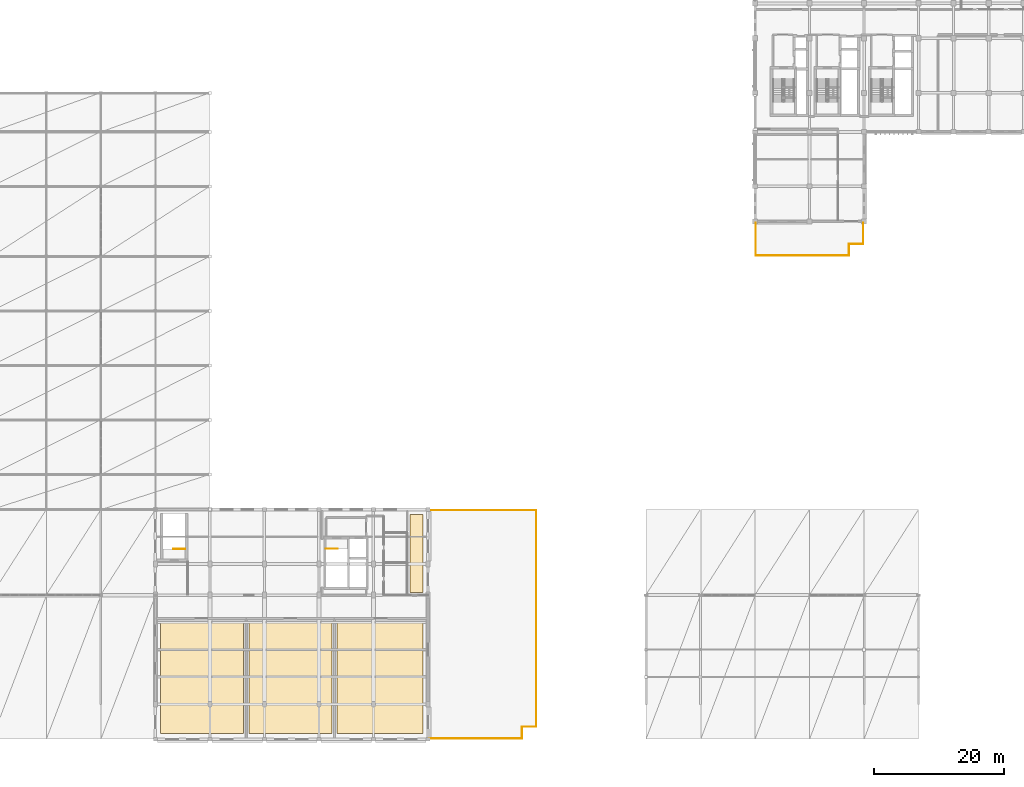
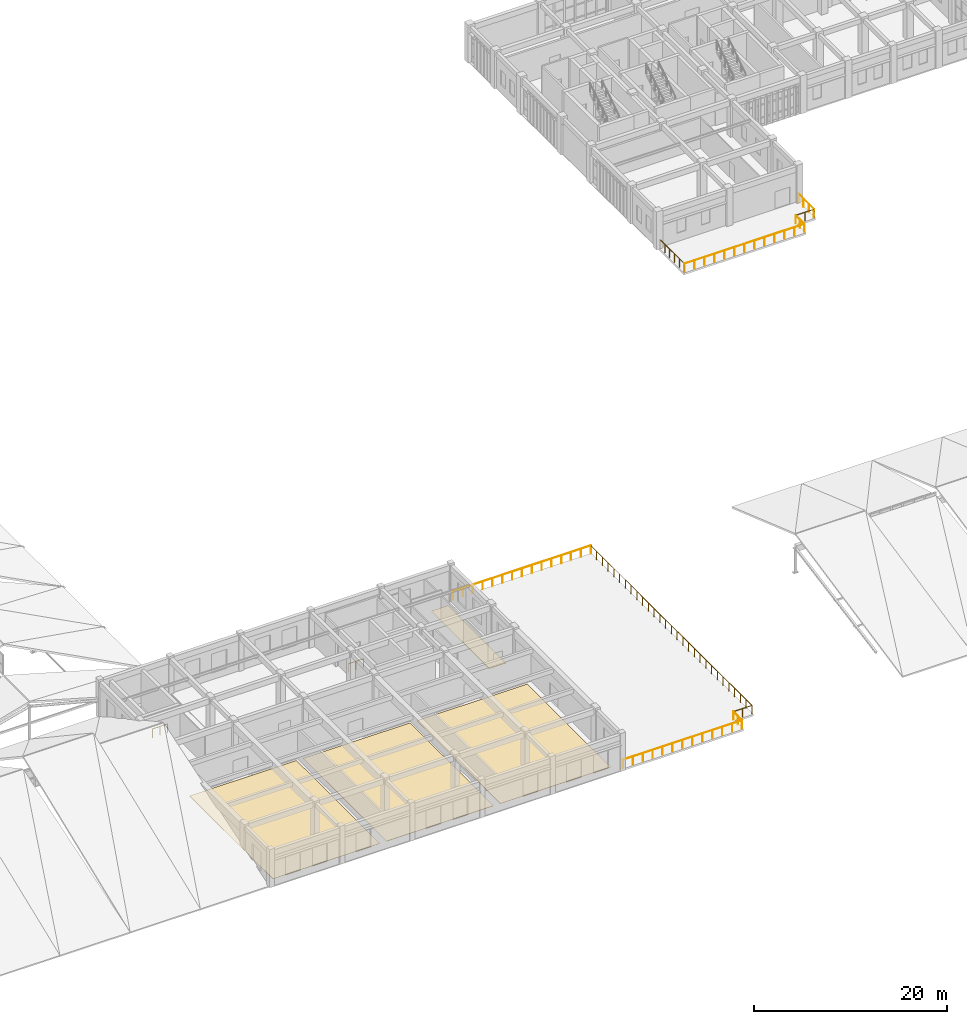
# One storey, part 75 of 76: 12 railings, 4 coverings.
"""IFC4 building model written with IfcOpenShell, lengths in metres."""

from ifc_helpers import new_model, si_unit, direction, frame, origin, origin_2d, place, context, subcontext, project, spatial, polyline, circle, outline, extrude, material, layer, layer_set, type_object, element, save


model = new_model("IFC4")

# Units and contexts
model_context = context("Model", 3, precision=1e-05, world=origin(), true_north=direction((0.0, 1.0)))
body_context = subcontext(model_context, "Body", "Model", "MODEL_VIEW")
ifc_project = project(units=[si_unit("LENGTHUNIT", "METRE"), si_unit("AREAUNIT", "SQUARE_METRE"), si_unit("VOLUMEUNIT", "CUBIC_METRE"), si_unit("PLANEANGLEUNIT", "RADIAN"), si_unit("MASSUNIT", "GRAM", prefix="KILO")], contexts=[model_context])

# Site, building, storey
site_placement = place(None, origin())
site = spatial("IfcSite", under=ifc_project, at=site_placement, CompositionType="ELEMENT")
building_placement = place(site_placement, origin())
building = spatial("IfcBuilding", under=site, at=building_placement, Name="Krzemoval Escarpment Law Courts", CompositionType="ELEMENT")
storey_placement = place(building_placement, frame((0.0, 0.0, 20.39990234375)))
storey = spatial("IfcBuildingStorey", under=building, at=storey_placement, Name="L04", CompositionType="ELEMENT", Elevation=20.39990234375)

# Coverings
ifc_material_1 = material(Name="Honed Silesian Granite Stone Flooring", Category="masonry")
ifc_layer = layer(ifc_material_1, 0.030029296875)
ifc_layer_set = layer_set([ifc_layer], Name="Honed Silesian Granite Stone Flooring")
covering_type = type_object("IfcCoveringType", Name="COV-FLR-STN30", PredefinedType="FLOORING", material=ifc_layer_set)
covering_1_placement = place(storey_placement, origin())
element("IfcCovering", 1, at=covering_1_placement, inside=storey, type_object=covering_type, Name="Stone Floor Finish FLR-L04-43", PredefinedType="FLOORING", context=body_context, shape_type="SweptSolid", body=[
    extrude(outline(polyline([(34.39990234375, 0.89990234375), (34.39990234375, 18.199951171875), (47.199951171875, 18.199951171875), (47.199951171875, 0.89990234375), (34.39990234375, 0.89990234375)])), origin(), (0.0, 0.0, 1.0), 0.030029296875),
])
covering_2_placement = place(storey_placement, origin())
element("IfcCovering", 2, at=covering_2_placement, inside=storey, type_object=covering_type, Name="Stone Floor Finish FLR-L04-44", PredefinedType="FLOORING", context=body_context, shape_type="SweptSolid", body=[
    extrude(outline(polyline([(48.0, 0.89990234375), (48.0, 18.199951171875), (60.800048828125, 18.199951171875), (60.800048828125, 0.89990234375), (48.0, 0.89990234375)])), origin(), (0.0, 0.0, 1.0), 0.030029296875),
])
covering_3_placement = place(storey_placement, origin())
element("IfcCovering", 3, at=covering_3_placement, inside=storey, type_object=covering_type, Name="Stone Floor Finish FLR-L04-45", PredefinedType="FLOORING", context=body_context, shape_type="SweptSolid", body=[
    extrude(outline(polyline([(61.60009765625, 0.89990234375), (61.60009765625, 18.199951171875), (74.800048828125, 18.199951171875), (74.800048828125, 0.89990234375), (61.60009765625, 0.89990234375)])), origin(), (0.0, 0.0, 1.0), 0.030029296875),
])
covering_4_placement = place(storey_placement, origin())
element("IfcCovering", 4, at=covering_4_placement, inside=storey, type_object=covering_type, Name="Stone Floor Finish FLR-L04-46", PredefinedType="FLOORING", context=body_context, shape_type="SweptSolid", body=[
    extrude(outline(polyline([(72.800048828125, 22.60009765625), (72.800048828125, 34.60009765625), (74.800048828125, 34.60009765625), (74.800048828125, 22.60009765625), (72.800048828125, 22.60009765625)])), origin(), (0.0, 0.0, 1.0), 0.030029296875),
])

# Railings
ifc_material_2 = material(Name="Stainless Steel Grade 316L and Laminated Safety Glass Guard", Category="steel")
railing_type_1 = type_object("IfcRailingType", Name="RL-BAL-1100", PredefinedType="BALUSTRADE", material=ifc_material_2)
railing_1_placement = place(storey_placement, frame((75.820068359375, 35.280029296875, 0.0)))
element("IfcRailing", 5, at=railing_1_placement, inside=storey, type_object=railing_type_1, Name="Terrace Guardrail BG-L04-017", PredefinedType="BALUSTRADE", context=body_context, shape_type="SweptSolid", body=[
    extrude(circle(Radius=0.02392578125, at=origin_2d()), frame((0.0, 0.0, 1.076171875), z_axis=(1.0, 0.0, 0.0), x_axis=(0.0, 1.0, 0.0)), (0.0, 0.0, 1.0), 16.4599609375),
    extrude(circle(Radius=0.02099609375, at=origin_2d()), origin(), (0.0, 0.0, 1.0), 1.052001953125),
    extrude(circle(Radius=0.02099609375, at=origin_2d()), frame((1.17578125, 0.0, 0.0)), (0.0, 0.0, 1.0), 1.052001953125),
    extrude(circle(Radius=0.02099609375, at=origin_2d()), frame((2.351318359375, 0.0, 0.0)), (0.0, 0.0, 1.0), 1.052001953125),
    extrude(circle(Radius=0.02099609375, at=origin_2d()), frame((3.527099609375, 0.0, 0.0)), (0.0, 0.0, 1.0), 1.052001953125),
    extrude(circle(Radius=0.02099609375, at=origin_2d()), frame((4.702880859375, 0.0, 0.0)), (0.0, 0.0, 1.0), 1.052001953125),
    extrude(circle(Radius=0.02099609375, at=origin_2d()), frame((5.878662109375, 0.0, 0.0)), (0.0, 0.0, 1.0), 1.052001953125),
    extrude(circle(Radius=0.02099609375, at=origin_2d()), frame((7.05419921875, 0.0, 0.0)), (0.0, 0.0, 1.0), 1.052001953125),
    extrude(circle(Radius=0.02099609375, at=origin_2d()), frame((8.22998046875, 0.0, 0.0)), (0.0, 0.0, 1.0), 1.052001953125),
    extrude(circle(Radius=0.02099609375, at=origin_2d()), frame((9.40576171875, 0.0, 0.0)), (0.0, 0.0, 1.0), 1.052001953125),
    extrude(circle(Radius=0.02099609375, at=origin_2d()), frame((10.581298828125, 0.0, 0.0)), (0.0, 0.0, 1.0), 1.052001953125),
    extrude(circle(Radius=0.02099609375, at=origin_2d()), frame((11.757080078125, 0.0, 0.0)), (0.0, 0.0, 1.0), 1.052001953125),
    extrude(circle(Radius=0.02099609375, at=origin_2d()), frame((12.932861328125, 0.0, 0.0)), (0.0, 0.0, 1.0), 1.052001953125),
    extrude(circle(Radius=0.02099609375, at=origin_2d()), frame((14.108642578125, 0.0, 0.0)), (0.0, 0.0, 1.0), 1.052001953125),
    extrude(circle(Radius=0.02099609375, at=origin_2d()), frame((15.2841796875, 0.0, 0.0)), (0.0, 0.0, 1.0), 1.052001953125),
    extrude(circle(Radius=0.02099609375, at=origin_2d()), frame((16.4599609375, 0.0, 0.0)), (0.0, 0.0, 1.0), 1.052001953125),
])
railing_2_placement = place(storey_placement, frame((92.280029296875, 35.280029296875, 0.0)))
element("IfcRailing", 6, at=railing_2_placement, inside=storey, type_object=railing_type_1, Name="Terrace Guardrail BG-L04-018", PredefinedType="BALUSTRADE", context=body_context, shape_type="SweptSolid", body=[
    extrude(circle(Radius=0.02392578125, at=origin_2d()), frame((0.0, 0.0, 1.076171875), z_axis=(0.0, -1.0, 0.0), x_axis=(1.0, 0.0, 0.0)), (0.0, 0.0, 1.0), 33.360107421875),
    extrude(circle(Radius=0.02099609375, at=origin_2d()), origin(), (0.0, 0.0, 1.0), 1.052001953125),
    extrude(circle(Radius=0.02099609375, at=origin_2d()), frame((0.0, -1.19140625, 0.0)), (0.0, 0.0, 1.0), 1.052001953125),
    extrude(circle(Radius=0.02099609375, at=origin_2d()), frame((0.0, -2.3828125, 0.0)), (0.0, 0.0, 1.0), 1.052001953125),
    extrude(circle(Radius=0.02099609375, at=origin_2d()), frame((0.0, -3.57421875, 0.0)), (0.0, 0.0, 1.0), 1.052001953125),
    extrude(circle(Radius=0.02099609375, at=origin_2d()), frame((0.0, -4.765625, 0.0)), (0.0, 0.0, 1.0), 1.052001953125),
    extrude(circle(Radius=0.02099609375, at=origin_2d()), frame((0.0, -5.957275390625, 0.0)), (0.0, 0.0, 1.0), 1.052001953125),
    extrude(circle(Radius=0.02099609375, at=origin_2d()), frame((0.0, -7.148681640625, 0.0)), (0.0, 0.0, 1.0), 1.052001953125),
    extrude(circle(Radius=0.02099609375, at=origin_2d()), frame((0.0, -8.340087890625, 0.0)), (0.0, 0.0, 1.0), 1.052001953125),
    extrude(circle(Radius=0.02099609375, at=origin_2d()), frame((0.0, -9.531494140625, 0.0)), (0.0, 0.0, 1.0), 1.052001953125),
    extrude(circle(Radius=0.02099609375, at=origin_2d()), frame((0.0, -10.722900390625, 0.0)), (0.0, 0.0, 1.0), 1.052001953125),
    extrude(circle(Radius=0.02099609375, at=origin_2d()), frame((0.0, -11.914306640625, 0.0)), (0.0, 0.0, 1.0), 1.052001953125),
    extrude(circle(Radius=0.02099609375, at=origin_2d()), frame((0.0, -13.105712890625, 0.0)), (0.0, 0.0, 1.0), 1.052001953125),
    extrude(circle(Radius=0.02099609375, at=origin_2d()), frame((0.0, -14.297119140625, 0.0)), (0.0, 0.0, 1.0), 1.052001953125),
    extrude(circle(Radius=0.02099609375, at=origin_2d()), frame((0.0, -15.488525390625, 0.0)), (0.0, 0.0, 1.0), 1.052001953125),
    extrude(circle(Radius=0.02099609375, at=origin_2d()), frame((0.0, -16.68017578125, 0.0)), (0.0, 0.0, 1.0), 1.052001953125),
    extrude(circle(Radius=0.02099609375, at=origin_2d()), frame((0.0, -17.87158203125, 0.0)), (0.0, 0.0, 1.0), 1.052001953125),
    extrude(circle(Radius=0.02099609375, at=origin_2d()), frame((0.0, -19.06298828125, 0.0)), (0.0, 0.0, 1.0), 1.052001953125),
    extrude(circle(Radius=0.02099609375, at=origin_2d()), frame((0.0, -20.25439453125, 0.0)), (0.0, 0.0, 1.0), 1.052001953125),
    extrude(circle(Radius=0.02099609375, at=origin_2d()), frame((0.0, -21.44580078125, 0.0)), (0.0, 0.0, 1.0), 1.052001953125),
    extrude(circle(Radius=0.02099609375, at=origin_2d()), frame((0.0, -22.63720703125, 0.0)), (0.0, 0.0, 1.0), 1.052001953125),
    extrude(circle(Radius=0.02099609375, at=origin_2d()), frame((0.0, -23.82861328125, 0.0)), (0.0, 0.0, 1.0), 1.052001953125),
    extrude(circle(Radius=0.02099609375, at=origin_2d()), frame((0.0, -25.02001953125, 0.0)), (0.0, 0.0, 1.0), 1.052001953125),
    extrude(circle(Radius=0.02099609375, at=origin_2d()), frame((0.0, -26.21142578125, 0.0)), (0.0, 0.0, 1.0), 1.052001953125),
    extrude(circle(Radius=0.02099609375, at=origin_2d()), frame((0.0, -27.40283203125, 0.0)), (0.0, 0.0, 1.0), 1.052001953125),
    extrude(circle(Radius=0.02099609375, at=origin_2d()), frame((0.0, -28.594482421875, 0.0)), (0.0, 0.0, 1.0), 1.052001953125),
    extrude(circle(Radius=0.02099609375, at=origin_2d()), frame((0.0, -29.785888671875, 0.0)), (0.0, 0.0, 1.0), 1.052001953125),
    extrude(circle(Radius=0.02099609375, at=origin_2d()), frame((0.0, -30.977294921875, 0.0)), (0.0, 0.0, 1.0), 1.052001953125),
    extrude(circle(Radius=0.02099609375, at=origin_2d()), frame((0.0, -32.168701171875, 0.0)), (0.0, 0.0, 1.0), 1.052001953125),
    extrude(circle(Radius=0.02099609375, at=origin_2d()), frame((0.0, -33.360107421875, 0.0)), (0.0, 0.0, 1.0), 1.052001953125),
])
railing_3_placement = place(storey_placement, frame((92.280029296875, 1.919921875, 0.0)))
element("IfcRailing", 7, at=railing_3_placement, inside=storey, type_object=railing_type_1, Name="Terrace Guardrail BG-L04-019", PredefinedType="BALUSTRADE", context=body_context, shape_type="SweptSolid", body=[
    extrude(circle(Radius=0.02392578125, at=origin_2d()), frame((0.0, 0.0, 1.076171875), z_axis=(-1.0, 0.0, 0.0), x_axis=(0.0, -1.0, 0.0)), (0.0, 0.0, 1.0), 2.199951171875),
    extrude(circle(Radius=0.02099609375, at=origin_2d()), origin(), (0.0, 0.0, 1.0), 1.052001953125),
    extrude(circle(Radius=0.02099609375, at=origin_2d()), frame((-1.10009765625, 0.0, 0.0)), (0.0, 0.0, 1.0), 1.052001953125),
    extrude(circle(Radius=0.02099609375, at=origin_2d()), frame((-2.199951171875, 0.0, 0.0)), (0.0, 0.0, 1.0), 1.052001953125),
])
railing_4_placement = place(storey_placement, frame((90.080078125, 1.919921875, 0.0)))
element("IfcRailing", 8, at=railing_4_placement, inside=storey, type_object=railing_type_1, Name="Terrace Guardrail BG-L04-020", PredefinedType="BALUSTRADE", context=body_context, shape_type="SweptSolid", body=[
    extrude(circle(Radius=0.02392578125, at=origin_2d()), frame((0.0, 0.0, 1.076171875), z_axis=(0.0, -1.0, 0.0), x_axis=(1.0, 0.0, 0.0)), (0.0, 0.0, 1.0), 1.7998046875),
    extrude(circle(Radius=0.02099609375, at=origin_2d()), origin(), (0.0, 0.0, 1.0), 1.052001953125),
    extrude(circle(Radius=0.02099609375, at=origin_2d()), frame((0.0, -0.89990234375, 0.0)), (0.0, 0.0, 1.0), 1.052001953125),
    extrude(circle(Radius=0.02099609375, at=origin_2d()), frame((0.0, -1.7998046875, 0.0)), (0.0, 0.0, 1.0), 1.052001953125),
])
railing_5_placement = place(storey_placement, frame((90.080078125, 0.1201171875, 0.0)))
element("IfcRailing", 9, at=railing_5_placement, inside=storey, type_object=railing_type_1, Name="Terrace Guardrail BG-L04-021", PredefinedType="BALUSTRADE", context=body_context, shape_type="SweptSolid", body=[
    extrude(circle(Radius=0.02392578125, at=origin_2d()), frame((0.0, 0.0, 1.076171875), z_axis=(-1.0, 0.0, 0.0), x_axis=(0.0, -1.0, 0.0)), (0.0, 0.0, 1.0), 14.260009765625),
    extrude(circle(Radius=0.02099609375, at=origin_2d()), origin(), (0.0, 0.0, 1.0), 1.052001953125),
    extrude(circle(Radius=0.02099609375, at=origin_2d()), frame((-1.188232421875, 0.0, 0.0)), (0.0, 0.0, 1.0), 1.052001953125),
    extrude(circle(Radius=0.02099609375, at=origin_2d()), frame((-2.376708984375, 0.0, 0.0)), (0.0, 0.0, 1.0), 1.052001953125),
    extrude(circle(Radius=0.02099609375, at=origin_2d()), frame((-3.56494140625, 0.0, 0.0)), (0.0, 0.0, 1.0), 1.052001953125),
    extrude(circle(Radius=0.02099609375, at=origin_2d()), frame((-4.75341796875, 0.0, 0.0)), (0.0, 0.0, 1.0), 1.052001953125),
    extrude(circle(Radius=0.02099609375, at=origin_2d()), frame((-5.941650390625, 0.0, 0.0)), (0.0, 0.0, 1.0), 1.052001953125),
    extrude(circle(Radius=0.02099609375, at=origin_2d()), frame((-7.1298828125, 0.0, 0.0)), (0.0, 0.0, 1.0), 1.052001953125),
    extrude(circle(Radius=0.02099609375, at=origin_2d()), frame((-8.318359375, 0.0, 0.0)), (0.0, 0.0, 1.0), 1.052001953125),
    extrude(circle(Radius=0.02099609375, at=origin_2d()), frame((-9.506591796875, 0.0, 0.0)), (0.0, 0.0, 1.0), 1.052001953125),
    extrude(circle(Radius=0.02099609375, at=origin_2d()), frame((-10.695068359375, 0.0, 0.0)), (0.0, 0.0, 1.0), 1.052001953125),
    extrude(circle(Radius=0.02099609375, at=origin_2d()), frame((-11.88330078125, 0.0, 0.0)), (0.0, 0.0, 1.0), 1.052001953125),
    extrude(circle(Radius=0.02099609375, at=origin_2d()), frame((-13.07177734375, 0.0, 0.0)), (0.0, 0.0, 1.0), 1.052001953125),
    extrude(circle(Radius=0.02099609375, at=origin_2d()), frame((-14.260009765625, 0.0, 0.0)), (0.0, 0.0, 1.0), 1.052001953125),
])
railing_6_placement = place(storey_placement, frame((126.1201171875, 74.52001953125, 0.0)))
element("IfcRailing", 10, at=railing_6_placement, inside=storey, type_object=railing_type_1, Name="Terrace Guardrail BG-L04-022", PredefinedType="BALUSTRADE", context=body_context, shape_type="SweptSolid", body=[
    extrude(circle(Radius=0.02392578125, at=origin_2d()), frame((0.0, 0.0, 1.076171875), z_axis=(0.0, 1.0, 0.0), x_axis=(-1.0, 0.0, 0.0)), (0.0, 0.0, 1.0), 5.06005859375),
    extrude(circle(Radius=0.02099609375, at=origin_2d()), origin(), (0.0, 0.0, 1.0), 1.052001953125),
    extrude(circle(Radius=0.02099609375, at=origin_2d()), frame((0.0, 1.011962890625, 0.0)), (0.0, 0.0, 1.0), 1.052001953125),
    extrude(circle(Radius=0.02099609375, at=origin_2d()), frame((0.0, 2.02392578125, 0.0)), (0.0, 0.0, 1.0), 1.052001953125),
    extrude(circle(Radius=0.02099609375, at=origin_2d()), frame((0.0, 3.0361328125, 0.0)), (0.0, 0.0, 1.0), 1.052001953125),
    extrude(circle(Radius=0.02099609375, at=origin_2d()), frame((0.0, 4.048095703125, 0.0)), (0.0, 0.0, 1.0), 1.052001953125),
    extrude(circle(Radius=0.02099609375, at=origin_2d()), frame((0.0, 5.06005859375, 0.0)), (0.0, 0.0, 1.0), 1.052001953125),
])
railing_7_placement = place(storey_placement, frame((142.679931640625, 79.580078125, 0.0)))
element("IfcRailing", 11, at=railing_7_placement, inside=storey, type_object=railing_type_1, Name="Terrace Guardrail BG-L04-023", PredefinedType="BALUSTRADE", context=body_context, shape_type="SweptSolid", body=[
    extrude(circle(Radius=0.02392578125, at=origin_2d()), frame((0.0, 0.0, 1.076171875), z_axis=(0.0, -1.0, 0.0), x_axis=(1.0, 0.0, 0.0)), (0.0, 0.0, 1.0), 3.260009765625),
    extrude(circle(Radius=0.02099609375, at=origin_2d()), origin(), (0.0, 0.0, 1.0), 1.052001953125),
    extrude(circle(Radius=0.02099609375, at=origin_2d()), frame((0.0, -1.086669921875, 0.0)), (0.0, 0.0, 1.0), 1.052001953125),
    extrude(circle(Radius=0.02099609375, at=origin_2d()), frame((0.0, -2.17333984375, 0.0)), (0.0, 0.0, 1.0), 1.052001953125),
    extrude(circle(Radius=0.02099609375, at=origin_2d()), frame((0.0, -3.260009765625, 0.0)), (0.0, 0.0, 1.0), 1.052001953125),
])
railing_8_placement = place(storey_placement, frame((142.679931640625, 76.320068359375, 0.0)))
element("IfcRailing", 12, at=railing_8_placement, inside=storey, type_object=railing_type_1, Name="Terrace Guardrail BG-L04-024", PredefinedType="BALUSTRADE", context=body_context, shape_type="SweptSolid", body=[
    extrude(circle(Radius=0.02392578125, at=origin_2d()), frame((0.0, 0.0, 1.076171875), z_axis=(-1.0, 0.0, 0.0), x_axis=(0.0, -1.0, 0.0)), (0.0, 0.0, 1.0), 2.199951171875),
    extrude(circle(Radius=0.02099609375, at=origin_2d()), origin(), (0.0, 0.0, 1.0), 1.052001953125),
    extrude(circle(Radius=0.02099609375, at=origin_2d()), frame((-1.10009765625, 0.0, 0.0)), (0.0, 0.0, 1.0), 1.052001953125),
    extrude(circle(Radius=0.02099609375, at=origin_2d()), frame((-2.199951171875, 0.0, 0.0)), (0.0, 0.0, 1.0), 1.052001953125),
])
railing_9_placement = place(storey_placement, frame((140.47998046875, 76.320068359375, 0.0)))
element("IfcRailing", 13, at=railing_9_placement, inside=storey, type_object=railing_type_1, Name="Terrace Guardrail BG-L04-025", PredefinedType="BALUSTRADE", context=body_context, shape_type="SweptSolid", body=[
    extrude(circle(Radius=0.02392578125, at=origin_2d()), frame((0.0, 0.0, 1.076171875), z_axis=(0.0, -1.0, 0.0), x_axis=(1.0, 0.0, 0.0)), (0.0, 0.0, 1.0), 1.800048828125),
    extrude(circle(Radius=0.02099609375, at=origin_2d()), origin(), (0.0, 0.0, 1.0), 1.052001953125),
    extrude(circle(Radius=0.02099609375, at=origin_2d()), frame((0.0, -0.89990234375, 0.0)), (0.0, 0.0, 1.0), 1.052001953125),
    extrude(circle(Radius=0.02099609375, at=origin_2d()), frame((0.0, -1.800048828125, 0.0)), (0.0, 0.0, 1.0), 1.052001953125),
])
railing_10_placement = place(storey_placement, frame((140.47998046875, 74.52001953125, 0.0)))
element("IfcRailing", 14, at=railing_10_placement, inside=storey, type_object=railing_type_1, Name="Terrace Guardrail BG-L04-026", PredefinedType="BALUSTRADE", context=body_context, shape_type="SweptSolid", body=[
    extrude(circle(Radius=0.02392578125, at=origin_2d()), frame((0.0, 0.0, 1.076171875), z_axis=(-1.0, 0.0, 0.0), x_axis=(0.0, -1.0, 0.0)), (0.0, 0.0, 1.0), 14.35986328125),
    extrude(circle(Radius=0.02099609375, at=origin_2d()), origin(), (0.0, 0.0, 1.0), 1.052001953125),
    extrude(circle(Radius=0.02099609375, at=origin_2d()), frame((-1.19677734375, 0.0, 0.0)), (0.0, 0.0, 1.0), 1.052001953125),
    extrude(circle(Radius=0.02099609375, at=origin_2d()), frame((-2.393310546875, 0.0, 0.0)), (0.0, 0.0, 1.0), 1.052001953125),
    extrude(circle(Radius=0.02099609375, at=origin_2d()), frame((-3.58984375, 0.0, 0.0)), (0.0, 0.0, 1.0), 1.052001953125),
    extrude(circle(Radius=0.02099609375, at=origin_2d()), frame((-4.78662109375, 0.0, 0.0)), (0.0, 0.0, 1.0), 1.052001953125),
    extrude(circle(Radius=0.02099609375, at=origin_2d()), frame((-5.9833984375, 0.0, 0.0)), (0.0, 0.0, 1.0), 1.052001953125),
    extrude(circle(Radius=0.02099609375, at=origin_2d()), frame((-7.179931640625, 0.0, 0.0)), (0.0, 0.0, 1.0), 1.052001953125),
    extrude(circle(Radius=0.02099609375, at=origin_2d()), frame((-8.37646484375, 0.0, 0.0)), (0.0, 0.0, 1.0), 1.052001953125),
    extrude(circle(Radius=0.02099609375, at=origin_2d()), frame((-9.5732421875, 0.0, 0.0)), (0.0, 0.0, 1.0), 1.052001953125),
    extrude(circle(Radius=0.02099609375, at=origin_2d()), frame((-10.77001953125, 0.0, 0.0)), (0.0, 0.0, 1.0), 1.052001953125),
    extrude(circle(Radius=0.02099609375, at=origin_2d()), frame((-11.966552734375, 0.0, 0.0)), (0.0, 0.0, 1.0), 1.052001953125),
    extrude(circle(Radius=0.02099609375, at=origin_2d()), frame((-13.1630859375, 0.0, 0.0)), (0.0, 0.0, 1.0), 1.052001953125),
    extrude(circle(Radius=0.02099609375, at=origin_2d()), frame((-14.35986328125, 0.0, 0.0)), (0.0, 0.0, 1.0), 1.052001953125),
])
ifc_material_3 = material(Name="Galvanised Steel S355", Category="steel")
railing_type_2 = type_object("IfcRailingType", Name="RL-GRD-1100", PredefinedType="GUARDRAIL", material=ifc_material_3)
railing_11_placement = place(storey_placement, frame((59.89990234375, 29.35009765625, 0.0)))
element("IfcRailing", 15, at=railing_11_placement, inside=storey, type_object=railing_type_2, Name="L04 ST4 top well guard 1", PredefinedType="GUARDRAIL", context=body_context, shape_type="SweptSolid", body=[
    extrude(circle(Radius=0.02392578125, at=origin_2d()), frame((0.0, 0.0, 1.076171875), z_axis=(1.0, 0.0, 0.0), x_axis=(0.0, 1.0, 0.0)), (0.0, 0.0, 1.0), 1.75),
    extrude(circle(Radius=0.02099609375, at=origin_2d()), origin(), (0.0, 0.0, 1.0), 1.052001953125),
    extrude(circle(Radius=0.02099609375, at=origin_2d()), frame((0.875, 0.0, 0.0)), (0.0, 0.0, 1.0), 1.052001953125),
    extrude(circle(Radius=0.02099609375, at=origin_2d()), frame((1.75, 0.0, 0.0)), (0.0, 0.0, 1.0), 1.052001953125),
])
railing_12_placement = place(storey_placement, frame((38.199951171875, 29.300048828125, 0.0)))
element("IfcRailing", 16, at=railing_12_placement, inside=storey, type_object=railing_type_2, Name="L04 ST9 top well guard 1", PredefinedType="GUARDRAIL", context=body_context, shape_type="SweptSolid", body=[
    extrude(circle(Radius=0.02392578125, at=origin_2d()), frame((0.0, 0.0, 1.076171875), z_axis=(-1.0, 0.0, 0.0), x_axis=(0.0, -1.0, 0.0)), (0.0, 0.0, 1.0), 1.800048828125),
    extrude(circle(Radius=0.02099609375, at=origin_2d()), origin(), (0.0, 0.0, 1.0), 1.052001953125),
    extrude(circle(Radius=0.02099609375, at=origin_2d()), frame((-0.89990234375, 0.0, 0.0)), (0.0, 0.0, 1.0), 1.052001953125),
    extrude(circle(Radius=0.02099609375, at=origin_2d()), frame((-1.800048828125, 0.0, 0.0)), (0.0, 0.0, 1.0), 1.052001953125),
])

save(model, "model.ifc")
